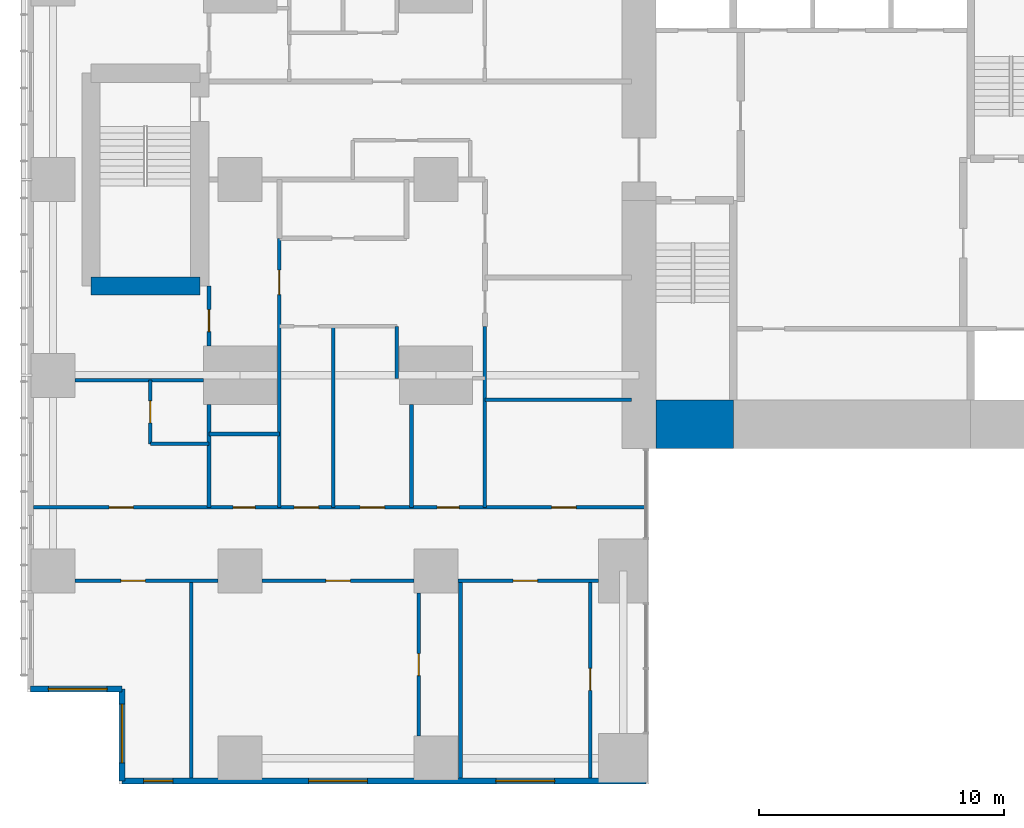
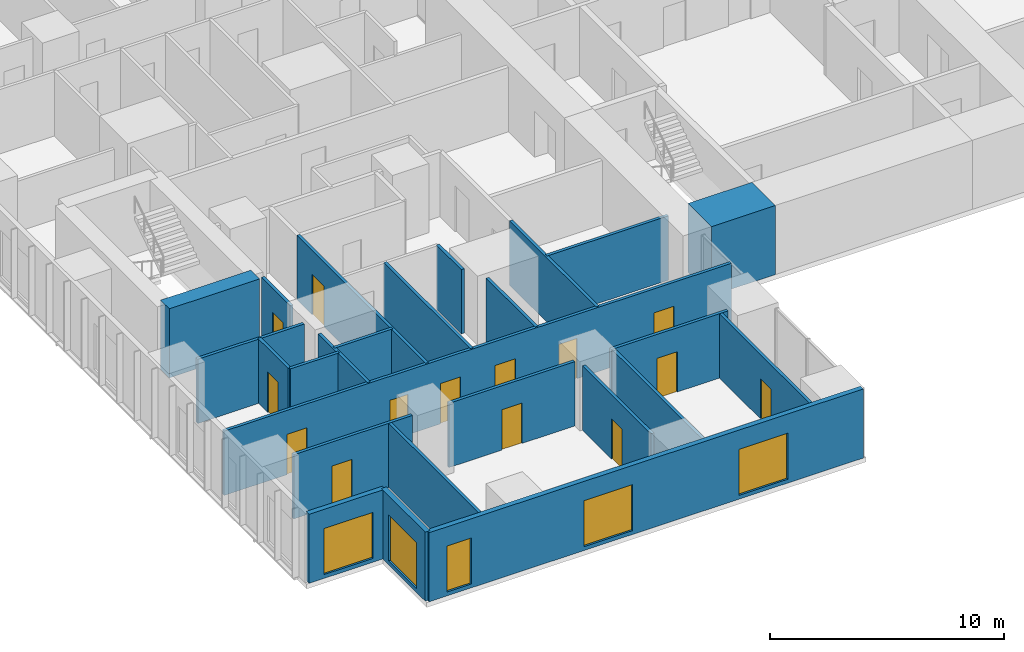
# One storey, part 12 of 20: 25 walls, 14 doors, 5 windows, 19 openings.
"""IFC4 building model written with IfcOpenShell, lengths in metres."""

from ifc_helpers import new_model, si_unit, direction, frame, frame_2d, origin, place, context, subcontext, project, spatial, rectangle, extrude, material, layer, layer_set, type_object, element, fill, save


model = new_model("IFC4")

# Units and contexts
model_context = context("Model", 3, precision=1e-05, world=origin(), true_north=direction((0.0, 1.0)))
body_context = subcontext(model_context, "Body", "Model", "MODEL_VIEW")
ifc_project = project(units=[si_unit("LENGTHUNIT", "METRE"), si_unit("AREAUNIT", "SQUARE_METRE"), si_unit("VOLUMEUNIT", "CUBIC_METRE"), si_unit("PLANEANGLEUNIT", "RADIAN"), si_unit("MASSUNIT", "GRAM", prefix="KILO")], contexts=[model_context])

# Site, building, storey
site_placement = place(None, origin())
site = spatial("IfcSite", under=ifc_project, at=site_placement, CompositionType="ELEMENT")
building_placement = place(site_placement, origin())
building = spatial("IfcBuilding", under=site, at=building_placement, Name="Cleftline Residences", CompositionType="ELEMENT")
storey_placement = place(building_placement, frame((0.0, 0.0, 189.39990234375)))
storey = spatial("IfcBuildingStorey", under=building, at=storey_placement, Name="L49", CompositionType="ELEMENT", Elevation=189.39990234375)

# Wall
ifc_material_1 = material(Name="Concrete B70", Category="concrete")
ifc_layer_1 = layer(ifc_material_1, 2.0)
ifc_layer_set_1 = layer_set([ifc_layer_1], Name="CORE WALL 2000")
wall_type_1 = type_object("IfcWallType", Name="CORE WALL 2000", PredefinedType="SHEAR", material=ifc_layer_set_1)
wall_1_placement = place(storey_placement, frame((25.0, 14.0, 0.0), z_axis=(0.0, 0.0, 1.0), x_axis=(1.0, 0.0, 0.0)))
element("IfcWall", 1, at=wall_1_placement, inside=storey, type_object=wall_type_1, Name="Core wall S1", PredefinedType="SHEAR", context=body_context, shape_type="SweptSolid", body=[
    extrude(rectangle(XDim=3.14990234375, YDim=2.0, at=frame_2d((1.574951171875, 0.0))), origin(), (0.0, 0.0, 1.0), 3.60009765625),
])

# Wall, opening, window
ifc_material_2 = material(Name="Rendered reinforced concrete blockwork", Category="masonry")
ifc_layer_2 = layer(ifc_material_2, 0.25)
ifc_layer_set_2 = layer_set([ifc_layer_2], Name="EXTERNAL WALL 250")
wall_type_2 = type_object("IfcWallType", Name="EXTERNAL WALL 250", PredefinedType="SOLIDWALL", material=ifc_layer_set_2)
wall_2_placement = place(storey_placement, frame((-0.574951171875, 3.175048828125, 0.0), z_axis=(0.0, 0.0, 1.0), x_axis=(1.0, 0.0, 0.0)))
wall_2 = element("IfcWall", 2, at=wall_2_placement, inside=storey, type_object=wall_type_2, Name="External wall", PredefinedType="SOLIDWALL", context=body_context, shape_type="SweptSolid", body=[
    extrude(rectangle(XDim=3.75, YDim=0.25, at=frame_2d((1.875, 0.0))), origin(), (0.0, 0.0, 1.0), 3.60009765625),
])
opening_1_placement = place(wall_2_placement, frame((0.737548828125, 0.0, 0.199951171875)))
opening_1 = element("IfcOpeningElement", 3, at=opening_1_placement, cuts=wall_2, Name="Opening W9", PredefinedType="OPENING", context=body_context, shape_type="SweptSolid", body=[
    extrude(rectangle(XDim=2.39990234375, YDim=2.39990234375, at=frame_2d((1.199951171875, 1.199951171875))), frame((0.0, 0.135009765625, 0.0), z_axis=(0.0, -1.0, 0.0), x_axis=(1.0, 0.0, 0.0)), (0.0, 0.0, 1.0), 0.27001953125),
])
ifc_material_3 = material(Name="Aluminium frame, clear double glazing", Category="aluminium")
window_type_1 = type_object("IfcWindowType", Name="WINDOW 2400X2400", PartitioningType="DOUBLE_PANEL_VERTICAL", PredefinedType="WINDOW", material=ifc_material_3)
window_1_placement = place(opening_1_placement, origin())
window_1 = element("IfcWindow", 4, at=window_1_placement, inside=storey, type_object=window_type_1, Name="Window", OverallHeight=2.39990234375, OverallWidth=2.39990234375, PartitioningType="SINGLE_PANEL", PredefinedType="WINDOW", context=body_context, shape_type="SweptSolid", body=[
    extrude(rectangle(XDim=2.39990234375, YDim=2.39990234375, at=frame_2d((1.199951171875, 1.199951171875))), frame((0.0, 0.030029296875, 0.0), z_axis=(0.0, -1.0, 0.0), x_axis=(1.0, 0.0, 0.0)), (0.0, 0.0, 1.0), 0.06005859375),
])
fill(opening_1, window_1)

wall_3_placement = place(storey_placement, frame((3.175048828125, 3.175048828125, 0.0), z_axis=(0.0, 0.0, 1.0), x_axis=(0.0, -1.0, 0.0)))
wall_3 = element("IfcWall", 5, at=wall_3_placement, inside=storey, type_object=wall_type_2, Name="External wall", PredefinedType="SOLIDWALL", context=body_context, shape_type="SweptSolid", body=[
    extrude(rectangle(XDim=3.75, YDim=0.25, at=frame_2d((1.875, 0.0))), origin(), (0.0, 0.0, 1.0), 3.60009765625),
])
opening_2_placement = place(wall_3_placement, frame((0.612548828125, 0.0, 0.199951171875)))
opening_2 = element("IfcOpeningElement", 6, at=opening_2_placement, cuts=wall_3, Name="Opening W9", PredefinedType="OPENING", context=body_context, shape_type="SweptSolid", body=[
    extrude(rectangle(XDim=2.39990234375, YDim=2.39990234375, at=frame_2d((1.199951171875, 1.199951171875))), frame((0.0, 0.135009765625, 0.0), z_axis=(0.0, -1.0, 0.0), x_axis=(1.0, 0.0, 0.0)), (0.0, 0.0, 1.0), 0.27001953125),
])
window_2_placement = place(opening_2_placement, origin())
window_2 = element("IfcWindow", 7, at=window_2_placement, inside=storey, type_object=window_type_1, Name="Window", OverallHeight=2.39990234375, OverallWidth=2.39990234375, PartitioningType="SINGLE_PANEL", PredefinedType="WINDOW", context=body_context, shape_type="SweptSolid", body=[
    extrude(rectangle(XDim=2.39990234375, YDim=2.39990234375, at=frame_2d((1.199951171875, 1.199951171875))), frame((0.0, 0.030029296875, 0.0), z_axis=(0.0, -1.0, 0.0), x_axis=(1.0, 0.0, 0.0)), (0.0, 0.0, 1.0), 0.06005859375),
])
fill(opening_2, window_2)

# Wall, openings, windows
wall_4_placement = place(storey_placement, frame((3.175048828125, -0.574951171875, 0.0), z_axis=(0.0, 0.0, 1.0), x_axis=(1.0, 0.0, 0.0)))
wall_4 = element("IfcWall", 8, at=wall_4_placement, inside=storey, type_object=wall_type_2, Name="External wall", PredefinedType="SOLIDWALL", context=body_context, shape_type="SweptSolid", body=[
    extrude(rectangle(XDim=21.39990234375, YDim=0.25, at=frame_2d((10.699951171875, 0.0))), origin(), (0.0, 0.0, 1.0), 3.60009765625),
])
opening_3_placement = place(wall_4_placement, frame((0.875, 0.0, 0.199951171875)))
opening_3 = element("IfcOpeningElement", 9, at=opening_3_placement, cuts=wall_4, Name="Opening W13", PredefinedType="OPENING", context=body_context, shape_type="SweptSolid", body=[
    extrude(rectangle(XDim=1.199951171875, YDim=2.39990234375, at=frame_2d((0.60009765625, 1.199951171875))), frame((0.0, 0.135009765625, 0.0), z_axis=(0.0, -1.0, 0.0), x_axis=(1.0, 0.0, 0.0)), (0.0, 0.0, 1.0), 0.27001953125),
])
opening_4_placement = place(wall_4_placement, frame((7.625, 0.0, 0.199951171875)))
opening_4 = element("IfcOpeningElement", 10, at=opening_4_placement, cuts=wall_4, Name="Opening W9", PredefinedType="OPENING", context=body_context, shape_type="SweptSolid", body=[
    extrude(rectangle(XDim=2.39990234375, YDim=2.39990234375, at=frame_2d((1.199951171875, 1.199951171875))), frame((0.0, 0.135009765625, 0.0), z_axis=(0.0, -1.0, 0.0), x_axis=(1.0, 0.0, 0.0)), (0.0, 0.0, 1.0), 0.27001953125),
])
opening_5_placement = place(wall_4_placement, frame((15.27490234375, 0.0, 0.199951171875)))
opening_5 = element("IfcOpeningElement", 11, at=opening_5_placement, cuts=wall_4, Name="Opening W9", PredefinedType="OPENING", context=body_context, shape_type="SweptSolid", body=[
    extrude(rectangle(XDim=2.39990234375, YDim=2.39990234375, at=frame_2d((1.199951171875, 1.199951171875))), frame((0.0, 0.135009765625, 0.0), z_axis=(0.0, -1.0, 0.0), x_axis=(1.0, 0.0, 0.0)), (0.0, 0.0, 1.0), 0.27001953125),
])
ifc_material_4 = material(Name="Aluminium frame, clear double glazing", Category="aluminium")
window_type_2 = type_object("IfcWindowType", Name="WINDOW 1200X2400", PartitioningType="DOUBLE_PANEL_VERTICAL", PredefinedType="WINDOW", material=ifc_material_4)
window_3_placement = place(opening_3_placement, origin())
window_3 = element("IfcWindow", 12, at=window_3_placement, inside=storey, type_object=window_type_2, Name="Window", OverallHeight=2.39990234375, OverallWidth=1.199951171875, PartitioningType="SINGLE_PANEL", PredefinedType="WINDOW", context=body_context, shape_type="SweptSolid", body=[
    extrude(rectangle(XDim=1.199951171875, YDim=2.39990234375, at=frame_2d((0.60009765625, 1.199951171875))), frame((0.0, 0.030029296875, 0.0), z_axis=(0.0, -1.0, 0.0), x_axis=(1.0, 0.0, 0.0)), (0.0, 0.0, 1.0), 0.06005859375),
])
fill(opening_3, window_3)
window_4_placement = place(opening_4_placement, origin())
window_4 = element("IfcWindow", 13, at=window_4_placement, inside=storey, type_object=window_type_1, Name="Window", OverallHeight=2.39990234375, OverallWidth=2.39990234375, PartitioningType="SINGLE_PANEL", PredefinedType="WINDOW", context=body_context, shape_type="SweptSolid", body=[
    extrude(rectangle(XDim=2.39990234375, YDim=2.39990234375, at=frame_2d((1.199951171875, 1.199951171875))), frame((0.0, 0.030029296875, 0.0), z_axis=(0.0, -1.0, 0.0), x_axis=(1.0, 0.0, 0.0)), (0.0, 0.0, 1.0), 0.06005859375),
])
fill(opening_4, window_4)
window_5_placement = place(opening_5_placement, origin())
window_5 = element("IfcWindow", 14, at=window_5_placement, inside=storey, type_object=window_type_1, Name="Window", OverallHeight=2.39990234375, OverallWidth=2.39990234375, PartitioningType="SINGLE_PANEL", PredefinedType="WINDOW", context=body_context, shape_type="SweptSolid", body=[
    extrude(rectangle(XDim=2.39990234375, YDim=2.39990234375, at=frame_2d((1.199951171875, 1.199951171875))), frame((0.0, 0.030029296875, 0.0), z_axis=(0.0, -1.0, 0.0), x_axis=(1.0, 0.0, 0.0)), (0.0, 0.0, 1.0), 0.06005859375),
])
fill(opening_5, window_5)

# Wall, opening, door
ifc_material_5 = material(Name="Gypsum board on steel studs", Category="steel")
ifc_layer_3 = layer(ifc_material_5, 0.14990234375)
ifc_layer_set_3 = layer_set([ifc_layer_3], Name="PARTITION 150")
wall_type_3 = type_object("IfcWallType", Name="PARTITION 150", PredefinedType="PARTITIONING", material=ifc_layer_set_3)
wall_5_placement = place(storey_placement, frame((1.25, 7.60009765625, 0.0), z_axis=(0.0, 0.0, 1.0), x_axis=(1.0, 0.0, 0.0)))
wall_5 = element("IfcWall", 15, at=wall_5_placement, inside=storey, type_object=wall_type_3, Name="Partition", PredefinedType="PARTITIONING", context=body_context, shape_type="SweptSolid", body=[
    extrude(rectangle(XDim=5.85009765625, YDim=0.14990234375, at=frame_2d((2.925048828125, 0.0))), origin(), (0.0, 0.0, 1.0), 3.35009765625),
])
opening_6_placement = place(wall_5_placement, frame((1.875, 0.0, 0.0)))
opening_6 = element("IfcOpeningElement", 16, at=opening_6_placement, cuts=wall_5, Name="Opening D2", PredefinedType="OPENING", context=body_context, shape_type="SweptSolid", body=[
    extrude(rectangle(XDim=1.0, YDim=2.10009765625, at=frame_2d((0.5, 1.050048828125))), frame((0.0, 0.0849609375, 0.0), z_axis=(0.0, -1.0, 0.0), x_axis=(1.0, 0.0, 0.0)), (0.0, 0.0, 1.0), 0.169921875),
])
ifc_material_6 = material(Name="Timber veneer on solid core", Category="wood")
door_type_1 = type_object("IfcDoorType", Name="DOOR 1000X2100", OperationType="SINGLE_SWING_LEFT", PredefinedType="DOOR", material=ifc_material_6)
door_1_placement = place(opening_6_placement, origin())
door_1 = element("IfcDoor", 17, at=door_1_placement, inside=storey, type_object=door_type_1, Name="Door to winter garden", OperationType="SINGLE_SWING_RIGHT", OverallHeight=2.10009765625, OverallWidth=1.0, PredefinedType="DOOR", context=body_context, shape_type="SweptSolid", body=[
    extrude(rectangle(XDim=1.0, YDim=2.10009765625, at=frame_2d((0.5, 1.050048828125))), frame((0.0, 0.02490234375, 0.0), z_axis=(0.0, -1.0, 0.0), x_axis=(1.0, 0.0, 0.0)), (0.0, 0.0, 1.0), 0.050048828125),
])
fill(opening_6, door_1)

wall_6_placement = place(storey_placement, frame((8.89990234375, 7.60009765625, 0.0), z_axis=(0.0, 0.0, 1.0), x_axis=(1.0, 0.0, 0.0)))
wall_6 = element("IfcWall", 18, at=wall_6_placement, inside=storey, type_object=wall_type_3, Name="Partition", PredefinedType="PARTITIONING", context=body_context, shape_type="SweptSolid", body=[
    extrude(rectangle(XDim=6.2001953125, YDim=0.14990234375, at=frame_2d((3.10009765625, 0.0))), origin(), (0.0, 0.0, 1.0), 3.35009765625),
])
opening_7_placement = place(wall_6_placement, frame((2.60009765625, 0.0, 0.0)))
opening_7 = element("IfcOpeningElement", 19, at=opening_7_placement, cuts=wall_6, Name="Opening D2", PredefinedType="OPENING", context=body_context, shape_type="SweptSolid", body=[
    extrude(rectangle(XDim=1.0, YDim=2.10009765625, at=frame_2d((0.5, 1.050048828125))), frame((0.0, 0.0849609375, 0.0), z_axis=(0.0, -1.0, 0.0), x_axis=(1.0, 0.0, 0.0)), (0.0, 0.0, 1.0), 0.169921875),
])
door_2_placement = place(opening_7_placement, origin())
door_2 = element("IfcDoor", 20, at=door_2_placement, inside=storey, type_object=door_type_1, Name="Door to great room", OperationType="SINGLE_SWING_LEFT", OverallHeight=2.10009765625, OverallWidth=1.0, PredefinedType="DOOR", context=body_context, shape_type="SweptSolid", body=[
    extrude(rectangle(XDim=1.0, YDim=2.10009765625, at=frame_2d((0.5, 1.050048828125))), frame((0.0, 0.02490234375, 0.0), z_axis=(0.0, -1.0, 0.0), x_axis=(1.0, 0.0, 0.0)), (0.0, 0.0, 1.0), 0.050048828125),
])
fill(opening_7, door_2)

wall_7_placement = place(storey_placement, frame((16.89990234375, 7.60009765625, 0.0), z_axis=(0.0, 0.0, 1.0), x_axis=(1.0, 0.0, 0.0)))
wall_7 = element("IfcWall", 21, at=wall_7_placement, inside=storey, type_object=wall_type_3, Name="Partition", PredefinedType="PARTITIONING", context=body_context, shape_type="SweptSolid", body=[
    extrude(rectangle(XDim=5.75, YDim=0.14990234375, at=frame_2d((2.875, 0.0))), origin(), (0.0, 0.0, 1.0), 3.35009765625),
])
opening_8_placement = place(wall_7_placement, frame((2.25, 0.0, 0.0)))
opening_8 = element("IfcOpeningElement", 22, at=opening_8_placement, cuts=wall_7, Name="Opening D2", PredefinedType="OPENING", context=body_context, shape_type="SweptSolid", body=[
    extrude(rectangle(XDim=1.0, YDim=2.10009765625, at=frame_2d((0.5, 1.050048828125))), frame((0.0, 0.0849609375, 0.0), z_axis=(0.0, -1.0, 0.0), x_axis=(1.0, 0.0, 0.0)), (0.0, 0.0, 1.0), 0.169921875),
])
door_3_placement = place(opening_8_placement, origin())
door_3 = element("IfcDoor", 23, at=door_3_placement, inside=storey, type_object=door_type_1, Name="Door to show kitchen", OperationType="SINGLE_SWING_RIGHT", OverallHeight=2.10009765625, OverallWidth=1.0, PredefinedType="DOOR", context=body_context, shape_type="SweptSolid", body=[
    extrude(rectangle(XDim=1.0, YDim=2.10009765625, at=frame_2d((0.5, 1.050048828125))), frame((0.0, 0.02490234375, 0.0), z_axis=(0.0, -1.0, 0.0), x_axis=(1.0, 0.0, 0.0)), (0.0, 0.0, 1.0), 0.050048828125),
])
fill(opening_8, door_3)

# Wall, openings, doors
wall_8_placement = place(storey_placement, frame((-0.449951171875, 10.60009765625, 0.0), z_axis=(0.0, 0.0, 1.0), x_axis=(1.0, 0.0, 0.0)))
wall_8 = element("IfcWall", 24, at=wall_8_placement, inside=storey, type_object=wall_type_3, Name="Partition", PredefinedType="PARTITIONING", context=body_context, shape_type="SweptSolid", body=[
    extrude(rectangle(XDim=25.010986328125, YDim=0.14990234375, at=frame_2d((12.50537109375, 0.0))), origin(), (0.0, 0.0, 1.0), 3.35009765625),
])
opening_9_placement = place(wall_8_placement, frame((10.64990234375, 0.0, 0.0)))
opening_9 = element("IfcOpeningElement", 25, at=opening_9_placement, cuts=wall_8, Name="Opening D2", PredefinedType="OPENING", context=body_context, shape_type="SweptSolid", body=[
    extrude(rectangle(XDim=1.0, YDim=2.10009765625, at=frame_2d((0.5, 1.050048828125))), frame((0.0, 0.0849609375, 0.0), z_axis=(0.0, -1.0, 0.0), x_axis=(1.0, 0.0, 0.0)), (0.0, 0.0, 1.0), 0.169921875),
])
opening_10_placement = place(wall_8_placement, frame((3.08740234375, 0.0, 0.0)))
opening_10 = element("IfcOpeningElement", 26, at=opening_10_placement, cuts=wall_8, Name="Opening D2", PredefinedType="OPENING", context=body_context, shape_type="SweptSolid", body=[
    extrude(rectangle(XDim=1.0, YDim=2.10009765625, at=frame_2d((0.5, 1.050048828125))), frame((0.0, 0.0849609375, 0.0), z_axis=(0.0, -1.0, 0.0), x_axis=(1.0, 0.0, 0.0)), (0.0, 0.0, 1.0), 0.169921875),
])
opening_11_placement = place(wall_8_placement, frame((8.16259765625, 0.0, 0.0)))
opening_11 = element("IfcOpeningElement", 27, at=opening_11_placement, cuts=wall_8, Name="Opening D1", PredefinedType="OPENING", context=body_context, shape_type="SweptSolid", body=[
    extrude(rectangle(XDim=0.89990234375, YDim=2.10009765625, at=frame_2d((0.449951171875, 1.050048828125))), frame((0.0, 0.0849609375, 0.0), z_axis=(0.0, -1.0, 0.0), x_axis=(1.0, 0.0, 0.0)), (0.0, 0.0, 1.0), 0.169921875),
])
opening_12_placement = place(wall_8_placement, frame((13.35009765625, 0.0, 0.0)))
opening_12 = element("IfcOpeningElement", 28, at=opening_12_placement, cuts=wall_8, Name="Opening D2", PredefinedType="OPENING", context=body_context, shape_type="SweptSolid", body=[
    extrude(rectangle(XDim=1.0, YDim=2.10009765625, at=frame_2d((0.5, 1.050048828125))), frame((0.0, 0.0849609375, 0.0), z_axis=(0.0, -1.0, 0.0), x_axis=(1.0, 0.0, 0.0)), (0.0, 0.0, 1.0), 0.169921875),
])
opening_13_placement = place(wall_8_placement, frame((16.5, 0.0, 0.0)))
opening_13 = element("IfcOpeningElement", 29, at=opening_13_placement, cuts=wall_8, Name="Opening D1", PredefinedType="OPENING", context=body_context, shape_type="SweptSolid", body=[
    extrude(rectangle(XDim=0.89990234375, YDim=2.10009765625, at=frame_2d((0.449951171875, 1.050048828125))), frame((0.0, 0.0849609375, 0.0), z_axis=(0.0, -1.0, 0.0), x_axis=(1.0, 0.0, 0.0)), (0.0, 0.0, 1.0), 0.169921875),
])
opening_14_placement = place(wall_8_placement, frame((21.175048828125, 0.0, 0.0)))
opening_14 = element("IfcOpeningElement", 30, at=opening_14_placement, cuts=wall_8, Name="Opening D2", PredefinedType="OPENING", context=body_context, shape_type="SweptSolid", body=[
    extrude(rectangle(XDim=1.0, YDim=2.10009765625, at=frame_2d((0.5, 1.050048828125))), frame((0.0, 0.0849609375, 0.0), z_axis=(0.0, -1.0, 0.0), x_axis=(1.0, 0.0, 0.0)), (0.0, 0.0, 1.0), 0.169921875),
])
door_4_placement = place(opening_9_placement, origin())
door_4 = element("IfcDoor", 31, at=door_4_placement, inside=storey, type_object=door_type_1, Name="Door to residence hall", OperationType="SINGLE_SWING_RIGHT", OverallHeight=2.10009765625, OverallWidth=1.0, PredefinedType="DOOR", context=body_context, shape_type="SweptSolid", body=[
    extrude(rectangle(XDim=1.0, YDim=2.10009765625, at=frame_2d((0.5, 1.050048828125))), frame((0.0, 0.02490234375, 0.0), z_axis=(0.0, -1.0, 0.0), x_axis=(1.0, 0.0, 0.0)), (0.0, 0.0, 1.0), 0.050048828125),
])
fill(opening_9, door_4)
door_5_placement = place(opening_10_placement, origin())
door_5 = element("IfcDoor", 32, at=door_5_placement, inside=storey, type_object=door_type_1, Name="Door to guest bedroom", OperationType="SINGLE_SWING_RIGHT", OverallHeight=2.10009765625, OverallWidth=1.0, PredefinedType="DOOR", context=body_context, shape_type="SweptSolid", body=[
    extrude(rectangle(XDim=1.0, YDim=2.10009765625, at=frame_2d((0.5, 1.050048828125))), frame((0.0, 0.02490234375, 0.0), z_axis=(0.0, -1.0, 0.0), x_axis=(1.0, 0.0, 0.0)), (0.0, 0.0, 1.0), 0.050048828125),
])
fill(opening_10, door_5)
door_6_placement = place(opening_12_placement, origin())
door_6 = element("IfcDoor", 33, at=door_6_placement, inside=storey, type_object=door_type_1, Name="Door to wet kitchen", OperationType="SINGLE_SWING_LEFT", OverallHeight=2.10009765625, OverallWidth=1.0, PredefinedType="DOOR", context=body_context, shape_type="SweptSolid", body=[
    extrude(rectangle(XDim=1.0, YDim=2.10009765625, at=frame_2d((0.5, 1.050048828125))), frame((0.0, 0.02490234375, 0.0), z_axis=(0.0, -1.0, 0.0), x_axis=(1.0, 0.0, 0.0)), (0.0, 0.0, 1.0), 0.050048828125),
])
fill(opening_12, door_6)
door_7_placement = place(opening_14_placement, origin())
door_7 = element("IfcDoor", 34, at=door_7_placement, inside=storey, type_object=door_type_1, Name="Door to breakfast room", OperationType="SINGLE_SWING_LEFT", OverallHeight=2.10009765625, OverallWidth=1.0, PredefinedType="DOOR", context=body_context, shape_type="SweptSolid", body=[
    extrude(rectangle(XDim=1.0, YDim=2.10009765625, at=frame_2d((0.5, 1.050048828125))), frame((0.0, 0.02490234375, 0.0), z_axis=(0.0, -1.0, 0.0), x_axis=(1.0, 0.0, 0.0)), (0.0, 0.0, 1.0), 0.050048828125),
])
fill(opening_14, door_7)
ifc_material_7 = material(Name="Timber veneer on solid core", Category="wood")
door_type_2 = type_object("IfcDoorType", Name="DOOR 900X2100", OperationType="SINGLE_SWING_LEFT", PredefinedType="DOOR", material=ifc_material_7)
door_8_placement = place(opening_11_placement, origin())
door_8 = element("IfcDoor", 35, at=door_8_placement, inside=storey, type_object=door_type_2, Name="Door to coat store", OperationType="SINGLE_SWING_RIGHT", OverallHeight=2.10009765625, OverallWidth=0.89990234375, PredefinedType="DOOR", context=body_context, shape_type="SweptSolid", body=[
    extrude(rectangle(XDim=0.89990234375, YDim=2.10009765625, at=frame_2d((0.449951171875, 1.050048828125))), frame((0.0, 0.02490234375, 0.0), z_axis=(0.0, -1.0, 0.0), x_axis=(1.0, 0.0, 0.0)), (0.0, 0.0, 1.0), 0.050048828125),
])
fill(opening_11, door_8)
door_9_placement = place(opening_13_placement, origin())
door_9 = element("IfcDoor", 36, at=door_9_placement, inside=storey, type_object=door_type_2, Name="Door to pantry", OperationType="SINGLE_SWING_LEFT", OverallHeight=2.10009765625, OverallWidth=0.89990234375, PredefinedType="DOOR", context=body_context, shape_type="SweptSolid", body=[
    extrude(rectangle(XDim=0.89990234375, YDim=2.10009765625, at=frame_2d((0.449951171875, 1.050048828125))), frame((0.0, 0.02490234375, 0.0), z_axis=(0.0, -1.0, 0.0), x_axis=(1.0, 0.0, 0.0)), (0.0, 0.0, 1.0), 0.050048828125),
])
fill(opening_13, door_9)

# Walls
wall_9_placement = place(storey_placement, frame((4.324951171875, 13.199951171875, 0.0), z_axis=(0.0, 0.0, 1.0), x_axis=(1.0, 0.0, 0.0)))
element("IfcWall", 37, at=wall_9_placement, inside=storey, type_object=wall_type_3, Name="Partition", PredefinedType="PARTITIONING", context=body_context, shape_type="SweptSolid", body=[
    extrude(rectangle(XDim=2.400146484375, YDim=0.14990234375, at=frame_2d((1.2001953125, 0.0))), origin(), (0.0, 0.0, 1.0), 3.35009765625),
])
wall_10_placement = place(storey_placement, frame((6.72509765625, 13.60009765625, 0.0), z_axis=(0.0, 0.0, 1.0), x_axis=(1.0, 0.0, 0.0)))
element("IfcWall", 38, at=wall_10_placement, inside=storey, type_object=wall_type_3, Name="Partition", PredefinedType="PARTITIONING", context=body_context, shape_type="SweptSolid", body=[
    extrude(rectangle(XDim=2.875, YDim=0.14990234375, at=frame_2d((1.4375, 0.0))), origin(), (0.0, 0.0, 1.0), 3.35009765625),
])
wall_11_placement = place(storey_placement, frame((18.0, 15.0, 0.0), z_axis=(0.0, 0.0, 1.0), x_axis=(1.0, 0.0, 0.0)))
element("IfcWall", 39, at=wall_11_placement, inside=storey, type_object=wall_type_3, Name="Partition", PredefinedType="PARTITIONING", context=body_context, shape_type="SweptSolid", body=[
    extrude(rectangle(XDim=6.0, YDim=0.14990234375, at=frame_2d((3.0, 0.0))), origin(), (0.0, 0.0, 1.0), 3.35009765625),
])
wall_12_placement = place(storey_placement, frame((1.25, 15.800048828125, 0.0), z_axis=(0.0, 0.0, 1.0), x_axis=(1.0, 0.0, 0.0)))
element("IfcWall", 40, at=wall_12_placement, inside=storey, type_object=wall_type_3, Name="Partition", PredefinedType="PARTITIONING", context=body_context, shape_type="SweptSolid", body=[
    extrude(rectangle(XDim=5.25, YDim=0.14990234375, at=frame_2d((2.625, 0.0))), origin(), (0.0, 0.0, 1.0), 3.35009765625),
])

# Wall, opening, door
wall_13_placement = place(storey_placement, frame((4.324951171875, 13.199951171875, 0.0), z_axis=(0.0, 0.0, 1.0), x_axis=(0.0, 1.0, 0.0)))
wall_13 = element("IfcWall", 41, at=wall_13_placement, inside=storey, type_object=wall_type_3, Name="Partition", PredefinedType="PARTITIONING", context=body_context, shape_type="SweptSolid", body=[
    extrude(rectangle(XDim=2.60009765625, YDim=0.14990234375, at=frame_2d((1.300048828125, 0.0))), origin(), (0.0, 0.0, 1.0), 3.35009765625),
])
opening_15_placement = place(wall_13_placement, frame((0.85009765625, 0.0, 0.0)))
opening_15 = element("IfcOpeningElement", 42, at=opening_15_placement, cuts=wall_13, Name="Opening D1", PredefinedType="OPENING", context=body_context, shape_type="SweptSolid", body=[
    extrude(rectangle(XDim=0.89990234375, YDim=2.10009765625, at=frame_2d((0.449951171875, 1.050048828125))), frame((0.0, 0.0849609375, 0.0), z_axis=(0.0, -1.0, 0.0), x_axis=(1.0, 0.0, 0.0)), (0.0, 0.0, 1.0), 0.169921875),
])
door_10_placement = place(opening_15_placement, origin())
door_10 = element("IfcDoor", 43, at=door_10_placement, inside=storey, type_object=door_type_2, Name="Door to guest bathroom", OperationType="SINGLE_SWING_LEFT", OverallHeight=2.10009765625, OverallWidth=0.89990234375, PredefinedType="DOOR", context=body_context, shape_type="SweptSolid", body=[
    extrude(rectangle(XDim=0.89990234375, YDim=2.10009765625, at=frame_2d((0.449951171875, 1.050048828125))), frame((0.0, 0.02490234375, 0.0), z_axis=(0.0, -1.0, 0.0), x_axis=(1.0, 0.0, 0.0)), (0.0, 0.0, 1.0), 0.050048828125),
])
fill(opening_15, door_10)

# Walls
wall_14_placement = place(storey_placement, frame((6.0, -0.449951171875, 0.0), z_axis=(0.0, 0.0, 1.0), x_axis=(0.0, 1.0, 0.0)))
element("IfcWall", 44, at=wall_14_placement, inside=storey, type_object=wall_type_3, Name="Partition", PredefinedType="PARTITIONING", context=body_context, shape_type="SweptSolid", body=[
    extrude(rectangle(XDim=8.050048828125, YDim=0.14990234375, at=frame_2d((4.02490234375, 0.0))), origin(), (0.0, 0.0, 1.0), 3.35009765625),
])
wall_15_placement = place(storey_placement, frame((6.72509765625, 10.60009765625, 0.0), z_axis=(0.0, 0.0, 1.0), x_axis=(0.0, 1.0, 0.0)))
element("IfcWall", 45, at=wall_15_placement, inside=storey, type_object=wall_type_3, Name="Partition", PredefinedType="PARTITIONING", context=body_context, shape_type="SweptSolid", body=[
    extrude(rectangle(XDim=4.199951171875, YDim=0.14990234375, at=frame_2d((2.10009765625, 0.0))), origin(), (0.0, 0.0, 1.0), 3.35009765625),
])

# Wall, opening, door
wall_16_placement = place(storey_placement, frame((6.72509765625, 17.199951171875, 0.0), z_axis=(0.0, 0.0, 1.0), x_axis=(0.0, 1.0, 0.0)))
wall_16 = element("IfcWall", 46, at=wall_16_placement, inside=storey, type_object=wall_type_3, Name="Partition", PredefinedType="PARTITIONING", context=body_context, shape_type="SweptSolid", body=[
    extrude(rectangle(XDim=2.449951171875, YDim=0.14990234375, at=frame_2d((1.22509765625, 0.0))), origin(), (0.0, 0.0, 1.0), 3.35009765625),
])
opening_16_placement = place(wall_16_placement, frame((0.58740234375, 0.0, 0.0)))
opening_16 = element("IfcOpeningElement", 47, at=opening_16_placement, cuts=wall_16, Name="Opening D1", PredefinedType="OPENING", context=body_context, shape_type="SweptSolid", body=[
    extrude(rectangle(XDim=0.89990234375, YDim=2.10009765625, at=frame_2d((0.449951171875, 1.050048828125))), frame((0.0, 0.0849609375, 0.0), z_axis=(0.0, -1.0, 0.0), x_axis=(1.0, 0.0, 0.0)), (0.0, 0.0, 1.0), 0.169921875),
])
door_11_placement = place(opening_16_placement, origin())
door_11 = element("IfcDoor", 48, at=door_11_placement, inside=storey, type_object=door_type_2, Name="Door to drying loggia", OperationType="SINGLE_SWING_RIGHT", OverallHeight=2.10009765625, OverallWidth=0.89990234375, PredefinedType="DOOR", context=body_context, shape_type="SweptSolid", body=[
    extrude(rectangle(XDim=0.89990234375, YDim=2.10009765625, at=frame_2d((0.449951171875, 1.050048828125))), frame((0.0, 0.02490234375, 0.0), z_axis=(0.0, -1.0, 0.0), x_axis=(1.0, 0.0, 0.0)), (0.0, 0.0, 1.0), 0.050048828125),
])
fill(opening_16, door_11)

wall_17_placement = place(storey_placement, frame((9.60009765625, 10.60009765625, 0.0), z_axis=(0.0, 0.0, 1.0), x_axis=(0.0, 1.0, 0.0)))
wall_17 = element("IfcWall", 49, at=wall_17_placement, inside=storey, type_object=wall_type_3, Name="Partition", PredefinedType="PARTITIONING", context=body_context, shape_type="SweptSolid", body=[
    extrude(rectangle(XDim=11.0, YDim=0.14990234375, at=frame_2d((5.5, 0.0))), origin(), (0.0, 0.0, 1.0), 3.35009765625),
])
opening_17_placement = place(wall_17_placement, frame((8.699951171875, 0.0, 0.0)))
opening_17 = element("IfcOpeningElement", 50, at=opening_17_placement, cuts=wall_17, Name="Opening D2F30", PredefinedType="OPENING", context=body_context, shape_type="SweptSolid", body=[
    extrude(rectangle(XDim=1.0, YDim=2.10009765625, at=frame_2d((0.5, 1.050048828125))), frame((0.0, 0.0849609375, 0.0), z_axis=(0.0, -1.0, 0.0), x_axis=(1.0, 0.0, 0.0)), (0.0, 0.0, 1.0), 0.169921875),
])
ifc_material_8 = material(Name="Timber veneer on solid core", Category="wood")
door_type_3 = type_object("IfcDoorType", Name="DOOR 1000X2100 EI 30", OperationType="SINGLE_SWING_LEFT", PredefinedType="DOOR", material=ifc_material_8)
door_12_placement = place(opening_17_placement, origin())
door_12 = element("IfcDoor", 51, at=door_12_placement, inside=storey, type_object=door_type_3, Name="Door to residence lobby", OperationType="SINGLE_SWING_LEFT", OverallHeight=2.10009765625, OverallWidth=1.0, PredefinedType="DOOR", context=body_context, shape_type="SweptSolid", body=[
    extrude(rectangle(XDim=1.0, YDim=2.10009765625, at=frame_2d((0.5, 1.050048828125))), frame((0.0, 0.02490234375, 0.0), z_axis=(0.0, -1.0, 0.0), x_axis=(1.0, 0.0, 0.0)), (0.0, 0.0, 1.0), 0.050048828125),
])
fill(opening_17, door_12)

# Walls
wall_18_placement = place(storey_placement, frame((11.800048828125, 10.60009765625, 0.0), z_axis=(0.0, 0.0, 1.0), x_axis=(0.0, 1.0, 0.0)))
element("IfcWall", 52, at=wall_18_placement, inside=storey, type_object=wall_type_3, Name="Partition", PredefinedType="PARTITIONING", context=body_context, shape_type="SweptSolid", body=[
    extrude(rectangle(XDim=7.39990234375, YDim=0.14990234375, at=frame_2d((3.699951171875, 0.0))), origin(), (0.0, 0.0, 1.0), 3.35009765625),
])
wall_19_placement = place(storey_placement, frame((14.39990234375, 15.875, 0.0), z_axis=(0.0, 0.0, 1.0), x_axis=(0.0, 1.0, 0.0)))
element("IfcWall", 53, at=wall_19_placement, inside=storey, type_object=wall_type_3, Name="Partition", PredefinedType="PARTITIONING", context=body_context, shape_type="SweptSolid", body=[
    extrude(rectangle(XDim=2.125, YDim=0.14990234375, at=frame_2d((1.0625, 0.0))), origin(), (0.0, 0.0, 1.0), 3.35009765625),
])
wall_20_placement = place(storey_placement, frame((15.0, 10.60009765625, 0.0), z_axis=(0.0, 0.0, 1.0), x_axis=(0.0, 1.0, 0.0)))
element("IfcWall", 54, at=wall_20_placement, inside=storey, type_object=wall_type_3, Name="Partition", PredefinedType="PARTITIONING", context=body_context, shape_type="SweptSolid", body=[
    extrude(rectangle(XDim=4.199951171875, YDim=0.14990234375, at=frame_2d((2.10009765625, 0.0))), origin(), (0.0, 0.0, 1.0), 3.35009765625),
])

# Wall, opening, door
wall_21_placement = place(storey_placement, frame((15.300048828125, 1.25, 0.0), z_axis=(0.0, 0.0, 1.0), x_axis=(0.0, 1.0, 0.0)))
wall_21 = element("IfcWall", 55, at=wall_21_placement, inside=storey, type_object=wall_type_3, Name="Partition", PredefinedType="PARTITIONING", context=body_context, shape_type="SweptSolid", body=[
    extrude(rectangle(XDim=5.85009765625, YDim=0.14990234375, at=frame_2d((2.925048828125, 0.0))), origin(), (0.0, 0.0, 1.0), 3.35009765625),
])
opening_18_placement = place(wall_21_placement, frame((2.47509765625, 0.0, 0.0)))
opening_18 = element("IfcOpeningElement", 56, at=opening_18_placement, cuts=wall_21, Name="Opening D1", PredefinedType="OPENING", context=body_context, shape_type="SweptSolid", body=[
    extrude(rectangle(XDim=0.89990234375, YDim=2.10009765625, at=frame_2d((0.449951171875, 1.050048828125))), frame((0.0, 0.0849609375, 0.0), z_axis=(0.0, -1.0, 0.0), x_axis=(1.0, 0.0, 0.0)), (0.0, 0.0, 1.0), 0.169921875),
])
door_13_placement = place(opening_18_placement, origin())
door_13 = element("IfcDoor", 57, at=door_13_placement, inside=storey, type_object=door_type_2, Name="Door to store room", OperationType="SINGLE_SWING_LEFT", OverallHeight=2.10009765625, OverallWidth=0.89990234375, PredefinedType="DOOR", context=body_context, shape_type="SweptSolid", body=[
    extrude(rectangle(XDim=0.89990234375, YDim=2.10009765625, at=frame_2d((0.449951171875, 1.050048828125))), frame((0.0, 0.02490234375, 0.0), z_axis=(0.0, -1.0, 0.0), x_axis=(1.0, 0.0, 0.0)), (0.0, 0.0, 1.0), 0.050048828125),
])
fill(opening_18, door_13)

# Walls
wall_22_placement = place(storey_placement, frame((17.0, -0.449951171875, 0.0), z_axis=(0.0, 0.0, 1.0), x_axis=(0.0, 1.0, 0.0)))
element("IfcWall", 58, at=wall_22_placement, inside=storey, type_object=wall_type_3, Name="Partition", PredefinedType="PARTITIONING", context=body_context, shape_type="SweptSolid", body=[
    extrude(rectangle(XDim=8.050048828125, YDim=0.14990234375, at=frame_2d((4.02490234375, 0.0))), origin(), (0.0, 0.0, 1.0), 3.35009765625),
])
wall_23_placement = place(storey_placement, frame((18.0, 10.60009765625, 0.0), z_axis=(0.0, 0.0, 1.0), x_axis=(0.0, 1.0, 0.0)))
element("IfcWall", 59, at=wall_23_placement, inside=storey, type_object=wall_type_3, Name="Partition", PredefinedType="PARTITIONING", context=body_context, shape_type="SweptSolid", body=[
    extrude(rectangle(XDim=7.39990234375, YDim=0.14990234375, at=frame_2d((3.699951171875, 0.0))), origin(), (0.0, 0.0, 1.0), 3.35009765625),
])

# Wall, opening, door
wall_24_placement = place(storey_placement, frame((22.300048828125, -0.449951171875, 0.0), z_axis=(0.0, 0.0, 1.0), x_axis=(0.0, 1.0, 0.0)))
wall_24 = element("IfcWall", 60, at=wall_24_placement, inside=storey, type_object=wall_type_3, Name="Partition", PredefinedType="PARTITIONING", context=body_context, shape_type="SweptSolid", body=[
    extrude(rectangle(XDim=8.050048828125, YDim=0.14990234375, at=frame_2d((4.02490234375, 0.0))), origin(), (0.0, 0.0, 1.0), 3.35009765625),
])
opening_19_placement = place(wall_24_placement, frame((3.574951171875, 0.0, 0.0)))
opening_19 = element("IfcOpeningElement", 61, at=opening_19_placement, cuts=wall_24, Name="Opening D1", PredefinedType="OPENING", context=body_context, shape_type="SweptSolid", body=[
    extrude(rectangle(XDim=0.89990234375, YDim=2.10009765625, at=frame_2d((0.449951171875, 1.050048828125))), frame((0.0, 0.0849609375, 0.0), z_axis=(0.0, -1.0, 0.0), x_axis=(1.0, 0.0, 0.0)), (0.0, 0.0, 1.0), 0.169921875),
])
door_14_placement = place(opening_19_placement, origin())
door_14 = element("IfcDoor", 62, at=door_14_placement, inside=storey, type_object=door_type_2, Name="Door to larder", OperationType="SINGLE_SWING_LEFT", OverallHeight=2.10009765625, OverallWidth=0.89990234375, PredefinedType="DOOR", context=body_context, shape_type="SweptSolid", body=[
    extrude(rectangle(XDim=0.89990234375, YDim=2.10009765625, at=frame_2d((0.449951171875, 1.050048828125))), frame((0.0, 0.02490234375, 0.0), z_axis=(0.0, -1.0, 0.0), x_axis=(1.0, 0.0, 0.0)), (0.0, 0.0, 1.0), 0.050048828125),
])
fill(opening_19, door_14)

# Wall
ifc_material_9 = material(Name="Concrete B70", Category="concrete")
ifc_layer_4 = layer(ifc_material_9, 0.75)
ifc_layer_set_4 = layer_set([ifc_layer_4], Name="SHEAR WALL 750")
wall_type_4 = type_object("IfcWallType", Name="SHEAR WALL 750", PredefinedType="SHEAR", material=ifc_layer_set_4)
wall_25_placement = place(storey_placement, frame((1.89990234375, 19.64990234375, 0.0), z_axis=(0.0, 0.0, 1.0), x_axis=(1.0, 0.0, 0.0)))
element("IfcWall", 63, at=wall_25_placement, inside=storey, type_object=wall_type_4, Name="Wing shear wall", PredefinedType="SHEAR", context=body_context, shape_type="SweptSolid", body=[
    extrude(rectangle(XDim=4.4501953125, YDim=0.75, at=frame_2d((2.22509765625, 0.0))), origin(), (0.0, 0.0, 1.0), 3.60009765625),
])

save(model, "model.ifc")
